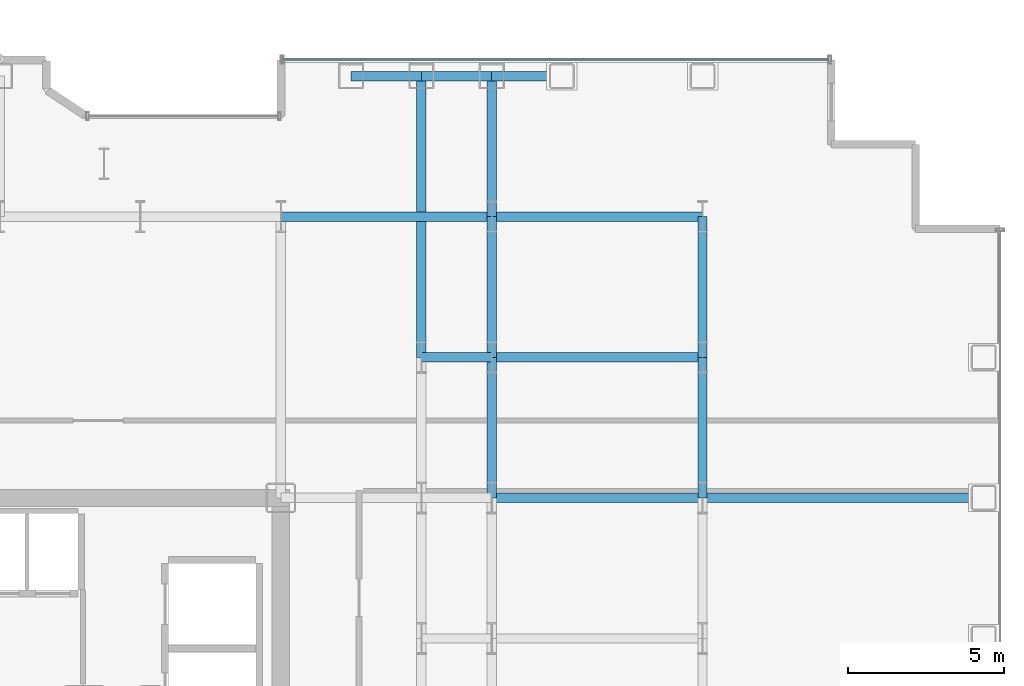
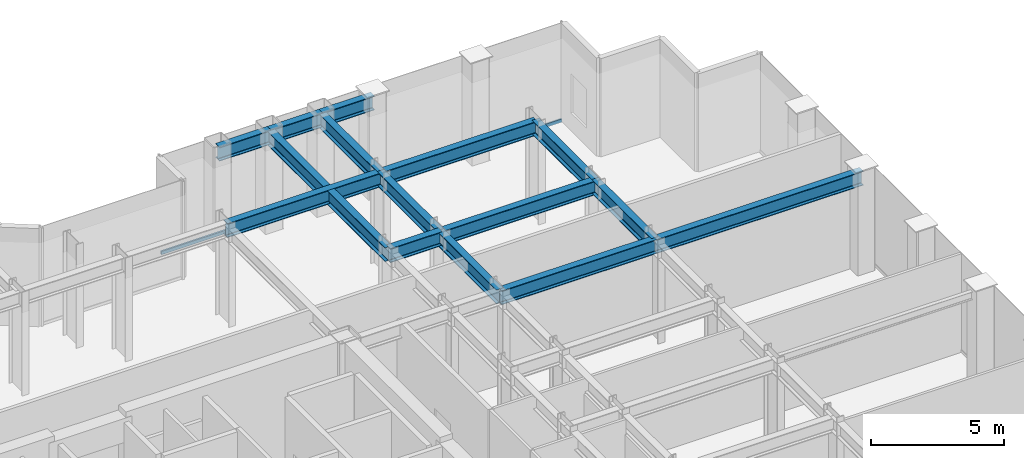
# One storey, part 13 of 27: 15 beams, 1 member, 1 element without a shape of its own.
"""IFC4 building model written with IfcOpenShell, lengths in metres."""

from ifc_helpers import new_model, si_unit, direction, frame, origin, origin_2d, place, context, subcontext, project, spatial, hollow_rectangle, i_section, extrude, source, transform, mapped, material, layer, layer_set, material_profile, profile_set, type_object, element, aggregate, save


model = new_model("IFC4")

# Units and contexts
model_context = context("Model", 3, precision=1e-05, world=origin(), true_north=direction((0.0, 1.0)))
body_context = subcontext(model_context, "Body", "Model", "MODEL_VIEW")
ifc_project = project(units=[si_unit("LENGTHUNIT", "METRE"), si_unit("AREAUNIT", "SQUARE_METRE"), si_unit("VOLUMEUNIT", "CUBIC_METRE"), si_unit("PLANEANGLEUNIT", "RADIAN"), si_unit("MASSUNIT", "GRAM", prefix="KILO")], contexts=[model_context])

# Site, building, storey
site_placement = place(None, origin())
site = spatial("IfcSite", under=ifc_project, at=site_placement, CompositionType="ELEMENT")
building_placement = place(site_placement, origin())
building = spatial("IfcBuilding", under=site, at=building_placement, Name="Nefas-Gora Pilgrimage Tower", CompositionType="ELEMENT")
storey_placement = place(building_placement, frame((0.0, 0.0, 144.0)))
storey = spatial("IfcBuildingStorey", under=building, at=storey_placement, Name="L35", CompositionType="ELEMENT", Elevation=144.0)

# Beams
ifc_material_1 = material(Name="Steel S355", Category="steel")
ifc_material_profile_1 = material_profile(ifc_material_1, i_section(OverallWidth=0.300048828125, OverallDepth=0.64990234375, WebThickness=0.01611328125, FlangeThickness=0.031005859375, FilletRadius=0.027099609375, at=origin_2d()), Name="HEB 650")
ifc_profile_set_1 = profile_set([ifc_material_profile_1], Name="Steel S355")
beam_type_1 = type_object("IfcBeamType", Name="BM-GIR-HEB650", PredefinedType="BEAM", material=ifc_profile_set_1)
shared_shape_1 = source(origin(), body_context, "Body", "SweptSolid", [
    extrude(i_section(OverallWidth=0.300048828125, OverallDepth=0.64990234375, WebThickness=0.01611328125, FlangeThickness=0.031005859375, FilletRadius=0.027099609375, at=origin_2d()), origin(), (0.0, 0.0, 1.0), 9.0),
])
for number, where, z_axis, x_axis, name in (
    (1, (15.75, 13.5, 4.22509765625), (0.0, 1.0, 0.0), (-1.0, 0.0, 0.0), "L35 G-03 beam"),
    (2, (24.75, 9.0, 4.22509765625), (1.0, 0.0, 0.0), (0.0, 1.0, 0.0), "L35 G-03 beam"),
):
    element("IfcBeam", number, at=place(storey_placement, frame(where, z_axis=z_axis, x_axis=x_axis)), inside=storey, type_object=beam_type_1, Name=name, PredefinedType="BEAM", context=body_context, shape_type="MappedRepresentation", body=[
        mapped(shared_shape_1, transform((0.0, 0.0, 0.0), x_axis=(1.0, 0.0, 0.0), y_axis=(0.0, 1.0, 0.0), z_axis=(0.0, 0.0, 1.0), scale=1.0)),
    ])
shared_shape_2 = source(origin(), body_context, "Body", "SweptSolid", [
    extrude(i_section(OverallWidth=0.300048828125, OverallDepth=0.64990234375, WebThickness=0.01611328125, FlangeThickness=0.031005859375, FilletRadius=0.027099609375, at=origin_2d()), origin(), (0.0, 0.0, 1.0), 4.5),
])
for number, where, z_axis, x_axis, name in (
    (3, (18.0, 9.0, 4.22509765625), (0.0, 1.0, 0.0), (-1.0, 0.0, 0.0), "L35 G-03 beam"),
    (4, (18.0, 13.5, 4.22509765625), (0.0, 1.0, 0.0), (-1.0, 0.0, 0.0), "L35 G-03 beam"),
    (5, (18.0, 18.0, 4.22509765625), (0.0, 1.0, 0.0), (-1.0, 0.0, 0.0), "L35 G-03 beam"),
    (6, (24.75, 9.0, 4.22509765625), (0.0, 1.0, 0.0), (-1.0, 0.0, 0.0), "L35 G-03 beam"),
    (7, (24.75, 13.5, 4.22509765625), (0.0, 1.0, 0.0), (-1.0, 0.0, 0.0), "L35 G-03 beam"),
):
    element("IfcBeam", number, at=place(storey_placement, frame(where, z_axis=z_axis, x_axis=x_axis)), inside=storey, type_object=beam_type_1, Name=name, PredefinedType="BEAM", context=body_context, shape_type="MappedRepresentation", body=[
        mapped(shared_shape_2, transform((0.0, 0.0, 0.0), x_axis=(1.0, 0.0, 0.0), y_axis=(0.0, 1.0, 0.0), z_axis=(0.0, 0.0, 1.0), scale=1.0)),
    ])
shared_shape_3 = source(origin(), body_context, "Body", "SweptSolid", [
    extrude(i_section(OverallWidth=0.300048828125, OverallDepth=0.64990234375, WebThickness=0.01611328125, FlangeThickness=0.031005859375, FilletRadius=0.027099609375, at=origin_2d()), origin(), (0.0, 0.0, 1.0), 6.75),
])
for number, where, z_axis, x_axis, name in (
    (8, (11.25, 18.0, 4.22509765625), (1.0, 0.0, 0.0), (0.0, 1.0, 0.0), "L35 G-03 beam"),
    (9, (18.0, 9.0, 4.22509765625), (1.0, 0.0, 0.0), (0.0, 1.0, 0.0), "L35 G-03 beam"),
    (10, (18.0, 13.5, 4.22509765625), (1.0, 0.0, 0.0), (0.0, 1.0, 0.0), "L35 G-03 beam"),
    (11, (18.0, 18.0, 4.22509765625), (1.0, 0.0, 0.0), (0.0, 1.0, 0.0), "L35 G-03 beam"),
):
    element("IfcBeam", number, at=place(storey_placement, frame(where, z_axis=z_axis, x_axis=x_axis)), inside=storey, type_object=beam_type_1, Name=name, PredefinedType="BEAM", context=body_context, shape_type="MappedRepresentation", body=[
        mapped(shared_shape_3, transform((0.0, 0.0, 0.0), x_axis=(1.0, 0.0, 0.0), y_axis=(0.0, 1.0, 0.0), z_axis=(0.0, 0.0, 1.0), scale=1.0)),
    ])
ifc_material_profile_2 = material_profile(ifc_material_1, i_section(OverallWidth=0.300048828125, OverallDepth=0.64990234375, WebThickness=0.01611328125, FlangeThickness=0.031005859375, FilletRadius=0.027099609375, at=origin_2d()), Name="HEB 650")
ifc_profile_set_2 = profile_set([ifc_material_profile_2], Name="Steel S355")
beam_type_2 = type_object("IfcBeamType", Name="BM-SPN-HEB500", PredefinedType="SPANDREL", material=ifc_profile_set_2)
shared_shape_4 = source(origin(), body_context, "Body", "SweptSolid", [
    extrude(i_section(OverallWidth=0.300048828125, OverallDepth=0.64990234375, WebThickness=0.01611328125, FlangeThickness=0.031005859375, FilletRadius=0.027099609375, at=origin_2d()), origin(), (0.0, 0.0, 1.0), 2.25),
])
for number, where, z_axis, x_axis, name in (
    (12, (13.5, 22.5, 4.22509765625), (1.0, 0.0, 0.0), (0.0, 1.0, 0.0), "L35 SP-02 beam"),
    (13, (15.75, 22.5, 4.22509765625), (1.0, 0.0, 0.0), (0.0, 1.0, 0.0), "L35 SP-02 beam"),
    (14, (18.0, 22.5, 4.22509765625), (1.0, 0.0, 0.0), (0.0, 1.0, 0.0), "L35 SP-02 beam"),
):
    element("IfcBeam", number, at=place(storey_placement, frame(where, z_axis=z_axis, x_axis=x_axis)), inside=storey, type_object=beam_type_2, Name=name, PredefinedType="SPANDREL", context=body_context, shape_type="MappedRepresentation", body=[
        mapped(shared_shape_4, transform((0.0, 0.0, 0.0), x_axis=(1.0, 0.0, 0.0), y_axis=(0.0, 1.0, 0.0), z_axis=(0.0, 0.0, 1.0), scale=1.0)),
    ])
shared_shape_5 = source(origin(), body_context, "Body", "SweptSolid", [
    extrude(i_section(OverallWidth=0.300048828125, OverallDepth=0.64990234375, WebThickness=0.01611328125, FlangeThickness=0.031005859375, FilletRadius=0.027099609375, at=origin_2d()), origin(), (0.0, 0.0, 1.0), 2.25),
])
beam_placement = place(storey_placement, frame((15.75, 13.5, 4.22509765625), z_axis=(1.0, 0.0, 0.0), x_axis=(0.0, 1.0, 0.0)))
element("IfcBeam", 15, at=beam_placement, inside=storey, type_object=beam_type_1, Name="L35 G-03 beam", PredefinedType="BEAM", context=body_context, shape_type="MappedRepresentation", body=[
    mapped(shared_shape_5, transform((0.0, 0.0, 0.0), x_axis=(1.0, 0.0, 0.0), y_axis=(0.0, 1.0, 0.0), z_axis=(0.0, 0.0, 1.0), scale=1.0)),
])

# Curtain wall, member
ifc_material_2 = material(Name="Dark ceramic-fritted solar-control aluminium-glass curtain wall", Category="aluminium")
ifc_layer = layer(ifc_material_2, 0.219970703125)
ifc_layer_set = layer_set([ifc_layer], Name="Dark ceramic-fritted solar-control aluminium-glass curtain wall")
curtain_wall_type = type_object("IfcCurtainWallType", Name="CW-SYS-2", PredefinedType="NOTDEFINED", material=ifc_layer_set)
curtain_wall_placement = place(storey_placement, origin())
curtain_wall = element("IfcCurtainWall", 16, at=curtain_wall_placement, inside=storey, type_object=curtain_wall_type, Name="L35 Unitised Curtain Wall CW2", PredefinedType="NOTDEFINED")
ifc_material_3 = material(Name="Anodised architectural aluminium", Category="aluminium")
ifc_material_profile_3 = material_profile(ifc_material_3, hollow_rectangle(XDim=0.080078125, YDim=0.159912109375, WallThickness=0.00439453125, InnerFilletRadius=0.00439453125, OuterFilletRadius=0.009033203125, at=origin_2d()), Name="ALU TRANSOM 80x160")
ifc_profile_set_3 = profile_set([ifc_material_profile_3], Name="Anodised architectural aluminium")
member_type = type_object("IfcMemberType", Name="CWM-TRN-2", PredefinedType="USERDEFINED", material=ifc_profile_set_3)
shared_shape_6 = source(origin(), body_context, "Body", "SweptSolid", [
    extrude(hollow_rectangle(XDim=0.080078125, YDim=0.159912109375, WallThickness=0.00439453125, InnerFilletRadius=0.00439453125, OuterFilletRadius=0.009033203125, at=origin_2d()), origin(), (0.0, 0.0, 1.0), 17.43994140625),
])
member_placement = place(storey_placement, frame((28.780029296875, 23.02001953125, 0.050048828125), z_axis=(-1.0, 0.0, 0.0), x_axis=(0.0, -1.0, 0.0)))
member = element("IfcMember", 17, at=member_placement, type_object=member_type, Name="CW2 Spandrel Transom", ObjectType="TRANSOM", PredefinedType="USERDEFINED", context=body_context, shape_type="MappedRepresentation", body=[
    mapped(shared_shape_6, transform((0.0, 0.0, 0.0), x_axis=(1.0, 0.0, 0.0), y_axis=(0.0, 1.0, 0.0), z_axis=(0.0, 0.0, 1.0), scale=1.0)),
])
aggregate(curtain_wall, [member])

save(model, "model.ifc")
